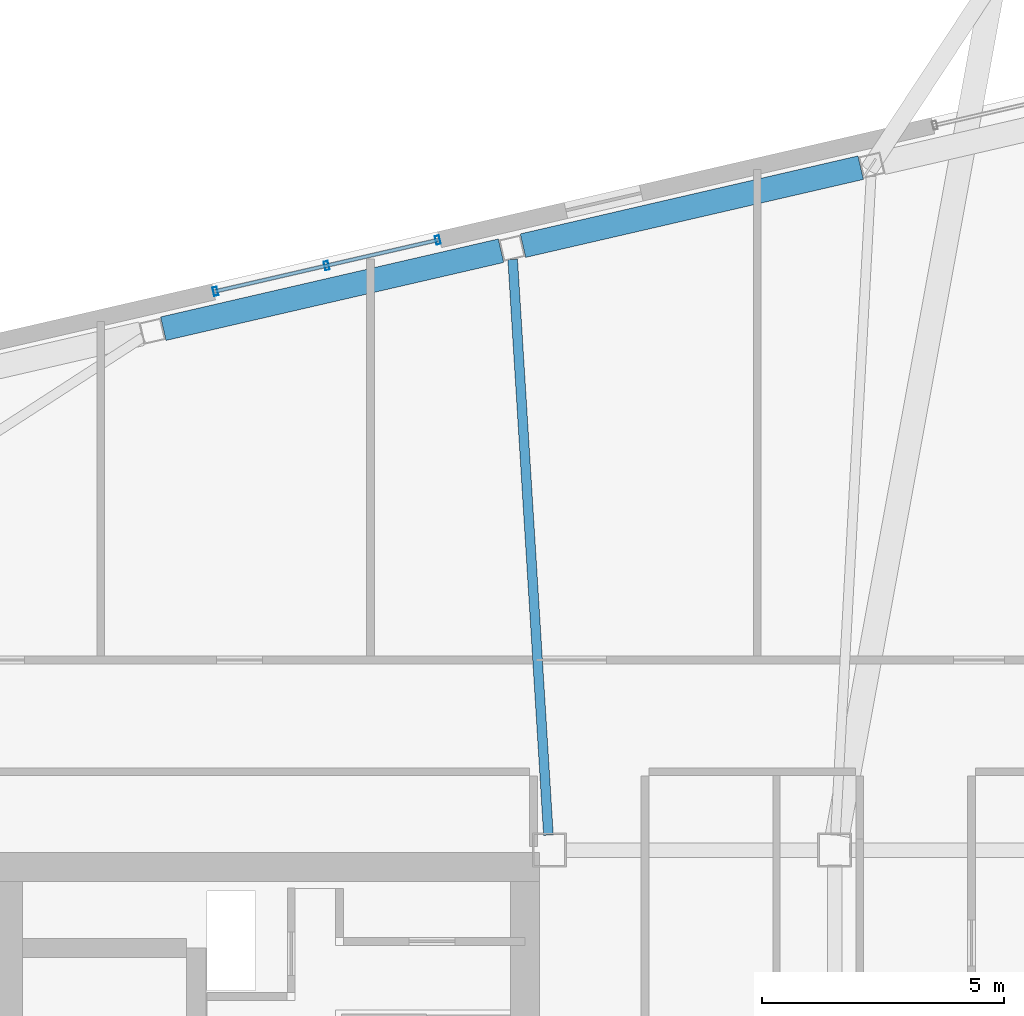
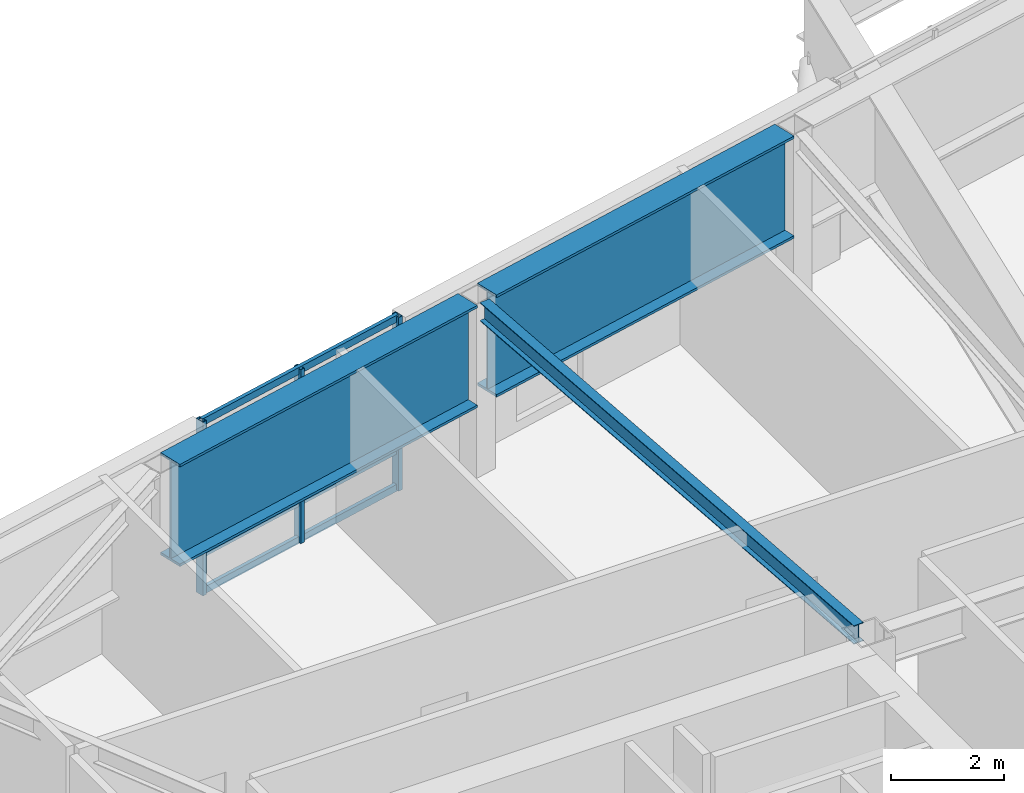
# One storey, part 12 of 23: 6 members, 3 beams, 1 element without a shape of its own.
"""IFC4 building model written with IfcOpenShell, lengths in metres."""

from ifc_helpers import new_model, si_unit, direction, frame, origin, origin_2d, place, context, subcontext, project, spatial, hollow_rectangle, i_section, extrude, material, layer, layer_set, material_profile, profile_set, type_object, element, aggregate, save


model = new_model("IFC4")

# Units and contexts
model_context = context("Model", 3, precision=1e-05, world=origin(), true_north=direction((0.0, 1.0)))
body_context = subcontext(model_context, "Body", "Model", "MODEL_VIEW")
ifc_project = project(units=[si_unit("LENGTHUNIT", "METRE"), si_unit("AREAUNIT", "SQUARE_METRE"), si_unit("VOLUMEUNIT", "CUBIC_METRE"), si_unit("PLANEANGLEUNIT", "RADIAN"), si_unit("MASSUNIT", "GRAM", prefix="KILO")], contexts=[model_context])

# Site, building, storey
site_placement = place(None, origin())
site = spatial("IfcSite", under=ifc_project, at=site_placement, CompositionType="ELEMENT")
building_placement = place(site_placement, origin())
building = spatial("IfcBuilding", under=site, at=building_placement, Name="Tavrogorsk Clinical Tower", CompositionType="ELEMENT")
storey_placement = place(building_placement, frame((0.0, 0.0, 305.0)))
storey = spatial("IfcBuildingStorey", under=building, at=storey_placement, Name="L71", CompositionType="ELEMENT", Elevation=305.0)

# Curtain wall, members
ifc_material_1 = material(Name="Anodised aluminium and triple IGU glazing", Category="aluminium")
ifc_layer = layer(ifc_material_1, 0.179931640625)
ifc_layer_set = layer_set([ifc_layer], Name="Anodised aluminium and triple IGU glazing")
curtain_wall_type = type_object("IfcCurtainWallType", Name="CW2_NorthSlot", PredefinedType="NOTDEFINED", material=ifc_layer_set)
curtain_wall_placement = place(storey_placement, origin())
curtain_wall = element("IfcCurtainWall", 1, at=curtain_wall_placement, inside=storey, type_object=curtain_wall_type, Name="L71 Curtain Wall CW-L71-N-SLOT-1", PredefinedType="NOTDEFINED")
ifc_material_2 = material(Name="Anodised aluminium alloy AW-6060", Category="aluminium")
ifc_material_profile_1 = material_profile(ifc_material_2, hollow_rectangle(XDim=0.090087890625, YDim=0.179931640625, WallThickness=0.00634765625, at=origin_2d()), Name="RHS-180x90x6.3")
ifc_profile_set_1 = profile_set([ifc_material_profile_1], Name="Anodised aluminium alloy AW-6060")
member_type_1 = type_object("IfcMemberType", Name="CwMullion_180x90", PredefinedType="MULLION", material=ifc_profile_set_1)
member_1_placement = place(storey_placement, frame((-12.608154296875, 18.9658203125, 0.0), z_axis=(0.0, 0.0, 1.0), x_axis=(-0.974370057377, -0.224951086434, 0.0)))
member_1 = element("IfcMember", 2, at=member_1_placement, type_object=member_type_1, Name="CW-L71-N-SLOT-1 Mullion 1", PredefinedType="MULLION", context=body_context, shape_type="SweptSolid", body=[
    extrude(hollow_rectangle(XDim=0.090087890625, YDim=0.179931640625, WallThickness=0.00634765625, at=origin_2d()), origin(), (0.0, 0.0, 1.0), 3.739990234375),
])
member_2_placement = place(storey_placement, frame((-14.90673828125, 18.435302734375, 0.0), z_axis=(0.0, 0.0, 1.0), x_axis=(-0.974370057377, -0.224951086434, 0.0)))
member_2 = element("IfcMember", 3, at=member_2_placement, type_object=member_type_1, Name="CW-L71-N-SLOT-1 Mullion 2", PredefinedType="MULLION", context=body_context, shape_type="SweptSolid", body=[
    extrude(hollow_rectangle(XDim=0.090087890625, YDim=0.179931640625, WallThickness=0.00634765625, at=origin_2d()), origin(), (0.0, 0.0, 1.0), 3.739990234375),
])
member_3_placement = place(storey_placement, frame((-17.205322265625, 17.904541015625, 0.0), z_axis=(0.0, 0.0, 1.0), x_axis=(-0.974370057377, -0.224951086434, 0.0)))
member_3 = element("IfcMember", 4, at=member_3_placement, type_object=member_type_1, Name="CW-L71-N-SLOT-1 Mullion 3", PredefinedType="MULLION", context=body_context, shape_type="SweptSolid", body=[
    extrude(hollow_rectangle(XDim=0.090087890625, YDim=0.179931640625, WallThickness=0.00634765625, at=origin_2d()), origin(), (0.0, 0.0, 1.0), 3.739990234375),
])
ifc_material_3 = material(Name="Anodised aluminium alloy AW-6060", Category="aluminium")
ifc_material_profile_2 = material_profile(ifc_material_3, hollow_rectangle(XDim=0.074951171875, YDim=0.14990234375, WallThickness=0.0048828125, at=origin_2d()), Name="RHS-150x75x5")
ifc_profile_set_2 = profile_set([ifc_material_profile_2], Name="Anodised aluminium alloy AW-6060")
member_type_2 = type_object("IfcMemberType", Name="CwTransom_150x75", PredefinedType="USERDEFINED", material=ifc_profile_set_2)
member_4_placement = place(storey_placement, frame((-12.608154296875, 18.9658203125, 0.050048828125), z_axis=(-0.974372877948, -0.22493886885, 0.0), x_axis=(0.22493886885, -0.974372877948, 0.0)))
member_4 = element("IfcMember", 5, at=member_4_placement, type_object=member_type_2, Name="CW-L71-N-SLOT-1 Transom 1", ObjectType="TRANSOM", PredefinedType="USERDEFINED", context=body_context, shape_type="SweptSolid", body=[
    extrude(hollow_rectangle(XDim=0.074951171875, YDim=0.14990234375, WallThickness=0.0048828125, at=origin_2d()), origin(), (0.0, 0.0, 1.0), 4.718017578125),
])
member_5_placement = place(storey_placement, frame((-12.608154296875, 18.9658203125, 0.85009765625), z_axis=(-0.974372877948, -0.22493886885, 0.0), x_axis=(0.22493886885, -0.974372877948, 0.0)))
member_5 = element("IfcMember", 6, at=member_5_placement, type_object=member_type_2, Name="CW-L71-N-SLOT-1 Transom 2", ObjectType="TRANSOM", PredefinedType="USERDEFINED", context=body_context, shape_type="SweptSolid", body=[
    extrude(hollow_rectangle(XDim=0.074951171875, YDim=0.14990234375, WallThickness=0.0048828125, at=origin_2d()), origin(), (0.0, 0.0, 1.0), 4.718017578125),
])
member_6_placement = place(storey_placement, frame((-12.608154296875, 18.9658203125, 3.68994140625), z_axis=(-0.974372877948, -0.22493886885, 0.0), x_axis=(0.22493886885, -0.974372877948, 0.0)))
member_6 = element("IfcMember", 7, at=member_6_placement, type_object=member_type_2, Name="CW-L71-N-SLOT-1 Transom 3", ObjectType="TRANSOM", PredefinedType="USERDEFINED", context=body_context, shape_type="SweptSolid", body=[
    extrude(hollow_rectangle(XDim=0.074951171875, YDim=0.14990234375, WallThickness=0.0048828125, at=origin_2d()), origin(), (0.0, 0.0, 1.0), 4.718017578125),
])
aggregate(curtain_wall, [member_1, member_2, member_3, member_4, member_5, member_6])

# Beams
ifc_material_4 = material(Name="Structural steel S355", Category="steel")
ifc_material_profile_3 = material_profile(ifc_material_4, i_section(OverallWidth=0.199951171875, OverallDepth=0.39990234375, WebThickness=0.010498046875, FlangeThickness=0.01611328125, at=origin_2d()), Name="B-400x200x10.5x16")
ifc_profile_set_3 = profile_set([ifc_material_profile_3], Name="Structural steel S355")
beam_type_1 = type_object("IfcBeamType", Name="FloorBeam_B400", PredefinedType="BEAM", material=ifc_profile_set_3)
beam_placement = place(storey_placement, frame((-10.319091796875, 6.659423828125, 3.5400390625), z_axis=(-0.06197688672, 0.998077584916, 0.0), x_axis=(-0.998077584916, -0.06197688672, 0.0)))
element("IfcBeam", 8, at=beam_placement, inside=storey, type_object=beam_type_1, Name="L71 Radial Floor Beam N5", PredefinedType="BEAM", context=body_context, shape_type="SweptSolid", body=[
    extrude(i_section(OverallWidth=0.199951171875, OverallDepth=0.39990234375, WebThickness=0.010498046875, FlangeThickness=0.01611328125, at=origin_2d()), origin(), (0.0, 0.0, 1.0), 11.927978515625),
])
ifc_material_5 = material(Name="Structural steel S440", Category="steel")
ifc_material_profile_4 = material_profile(ifc_material_5, i_section(OverallWidth=0.5, OverallDepth=2.199951171875, WebThickness=0.035888671875, FlangeThickness=0.054931640625, at=origin_2d()), Name="DK-2200x500x36x55")
ifc_profile_set_4 = profile_set([ifc_material_profile_4], Name="Structural steel S440")
beam_type_2 = type_object("IfcBeamType", Name="TransferGirder_DK2200", PredefinedType="USERDEFINED", material=ifc_profile_set_4)
for number, where, z_axis, x_axis, name in (
    (9, (-3.861328125, 20.4619140625, 2.639892578125), (-0.974367655018, -0.224961491939, 0.0), (0.224961491939, -0.974367655018, 0.0), "L71 Perimeter Spandrel N4-N5"),
    (10, (-11.2998046875, 18.74462890625, 2.639892578125), (-0.974367655018, -0.224961491939, 0.0), (0.224961491939, -0.974367655018, 0.0), "L71 Perimeter Spandrel N5-N6"),
):
    element("IfcBeam", number, at=place(storey_placement, frame(where, z_axis=z_axis, x_axis=x_axis)), inside=storey, type_object=beam_type_2, Name=name, ObjectType="GIRDER", PredefinedType="USERDEFINED", context=body_context, shape_type="SweptSolid", body=[
        extrude(i_section(OverallWidth=0.5, OverallDepth=2.199951171875, WebThickness=0.035888671875, FlangeThickness=0.054931640625, at=origin_2d()), origin(), (0.0, 0.0, 1.0), 7.168212890625),
    ])

save(model, "model.ifc")
